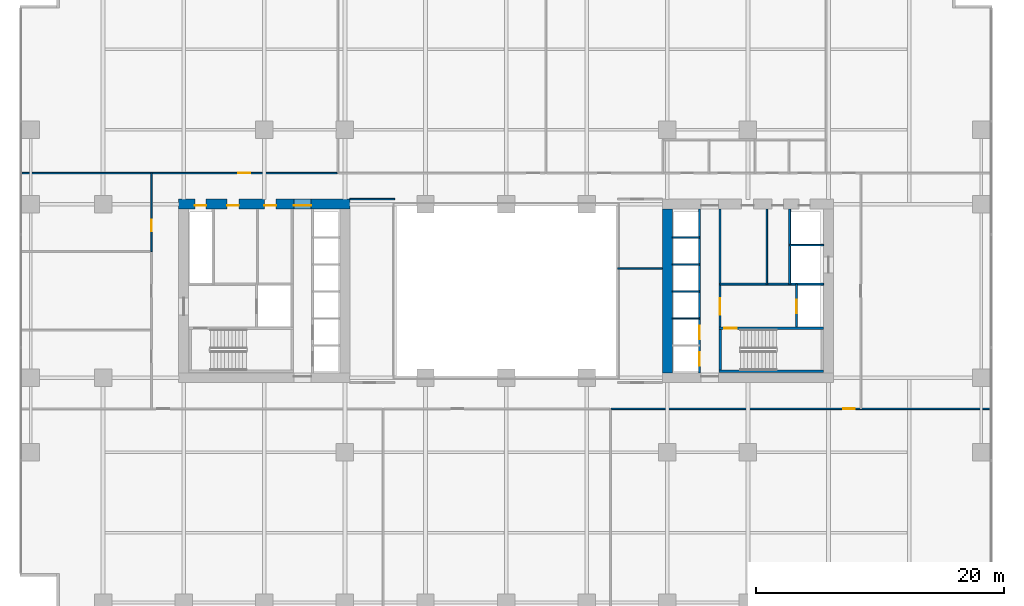
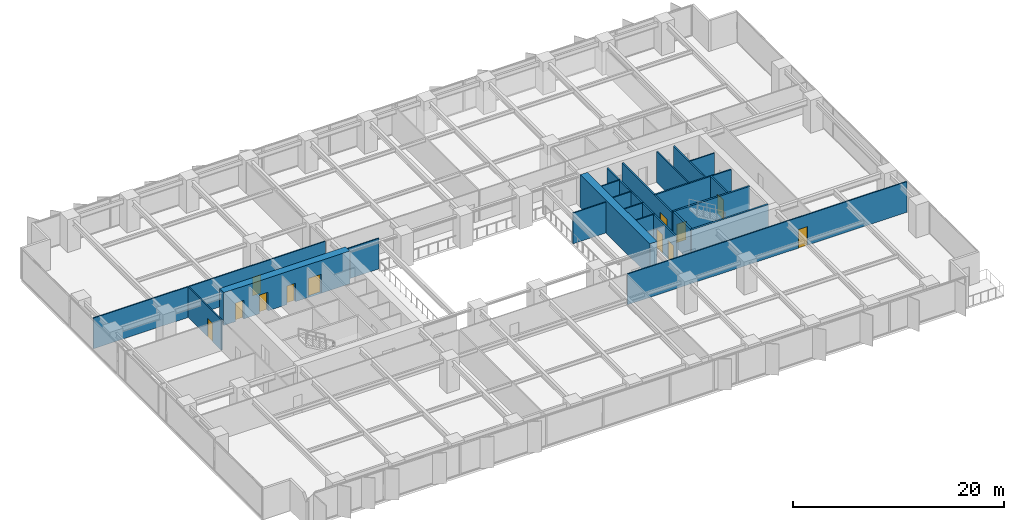
# One storey, part 14 of 20: 21 walls, 12 doors, 12 openings.
"""IFC4 building model written with IfcOpenShell, lengths in metres."""

from ifc_helpers import new_model, si_unit, direction, frame, frame_2d, origin, place, context, subcontext, project, spatial, rectangle, extrude, material, layer, layer_set, type_object, element, fill, save


model = new_model("IFC4")

# Units and contexts
model_context = context("Model", 3, precision=1e-05, world=origin(), true_north=direction((0.0, 1.0)))
body_context = subcontext(model_context, "Body", "Model", "MODEL_VIEW")
ifc_project = project(units=[si_unit("LENGTHUNIT", "METRE"), si_unit("AREAUNIT", "SQUARE_METRE"), si_unit("VOLUMEUNIT", "CUBIC_METRE"), si_unit("PLANEANGLEUNIT", "RADIAN"), si_unit("MASSUNIT", "GRAM", prefix="KILO")], contexts=[model_context])

# Site, building, storey
site_placement = place(None, origin())
site = spatial("IfcSite", under=ifc_project, at=site_placement, CompositionType="ELEMENT")
building_placement = place(site_placement, origin())
building = spatial("IfcBuilding", under=site, at=building_placement, Name="Putna Gate Headquarters", CompositionType="ELEMENT")
storey_placement = place(building_placement, frame((0.0, 0.0, 50.60009765625)))
storey = spatial("IfcBuildingStorey", under=building, at=storey_placement, Name="L11", CompositionType="ELEMENT", Elevation=50.60009765625)

# Wall, openings, doors
ifc_material_1 = material(Name="Concrete C60/75", Category="concrete")
ifc_layer_1 = layer(ifc_material_1, 0.800048828125)
ifc_layer_set_1 = layer_set([ifc_layer_1], Name="Concrete C60/75")
wall_type_1 = type_object("IfcWallType", Name="WALL-CORE-800", PredefinedType="SHEAR", material=ifc_layer_set_1)
wall_1_placement = place(storey_placement, frame((12.60009765625, 33.0, 0.0), z_axis=(0.0, 0.0, 1.0), x_axis=(1.0, 0.0, 0.0)))
wall_1 = element("IfcWall", 1, at=wall_1_placement, inside=storey, type_object=wall_type_1, Name="L11 WC Split Core Shear Wall N", PredefinedType="SHEAR", context=body_context, shape_type="SweptSolid", body=[
    extrude(rectangle(XDim=13.7998046875, YDim=0.800048828125, at=frame_2d((6.89990234375, 0.0))), origin(), (0.0, 0.0, 1.0), 3.7998046875),
])
opening_1_placement = place(wall_1_placement, frame((1.300048828125, 0.0, 0.0)))
opening_1 = element("IfcOpeningElement", 2, at=opening_1_placement, cuts=wall_1, Name="Opening RD-90", PredefinedType="OPENING", context=body_context, shape_type="SweptSolid", body=[
    extrude(rectangle(XDim=0.89990234375, YDim=2.14990234375, at=frame_2d((0.449951171875, 1.074951171875))), frame((0.0, 0.409912109375, 0.0), z_axis=(0.0, -1.0, 0.0), x_axis=(1.0, 0.0, 0.0)), (0.0, 0.0, 1.0), 0.820068359375),
])
opening_2_placement = place(wall_1_placement, frame((3.89990234375, 0.0, 0.0)))
opening_2 = element("IfcOpeningElement", 3, at=opening_2_placement, cuts=wall_1, Name="Opening IDS-95", PredefinedType="OPENING", context=body_context, shape_type="SweptSolid", body=[
    extrude(rectangle(XDim=0.949951171875, YDim=2.14990234375, at=frame_2d((0.47509765625, 1.074951171875))), frame((0.0, 0.409912109375, 0.0), z_axis=(0.0, -1.0, 0.0), x_axis=(1.0, 0.0, 0.0)), (0.0, 0.0, 1.0), 0.820068359375),
])
opening_3_placement = place(wall_1_placement, frame((6.89990234375, 0.0, 0.0)))
opening_3 = element("IfcOpeningElement", 4, at=opening_3_placement, cuts=wall_1, Name="Opening IDS-95", PredefinedType="OPENING", context=body_context, shape_type="SweptSolid", body=[
    extrude(rectangle(XDim=0.949951171875, YDim=2.14990234375, at=frame_2d((0.47509765625, 1.074951171875))), frame((0.0, 0.409912109375, 0.0), z_axis=(0.0, -1.0, 0.0), x_axis=(1.0, 0.0, 0.0)), (0.0, 0.0, 1.0), 0.820068359375),
])
opening_4_placement = place(wall_1_placement, frame((9.280029296875, 0.0, 0.0)))
opening_4 = element("IfcOpeningElement", 5, at=opening_4_placement, cuts=wall_1, Name="Opening FDD-140", PredefinedType="OPENING", context=body_context, shape_type="SweptSolid", body=[
    extrude(rectangle(XDim=1.39990234375, YDim=2.199951171875, at=frame_2d((0.699951171875, 1.10009765625))), frame((0.0, 0.409912109375, 0.0), z_axis=(0.0, -1.0, 0.0), x_axis=(1.0, 0.0, 0.0)), (0.0, 0.0, 1.0), 0.820068359375),
])
ifc_material_2 = material(Name="Double steel fire door", Category="steel")
door_type_1 = type_object("IfcDoorType", Name="DOOR-FIRE-DBL-1400", OperationType="DOUBLE_DOOR_SINGLE_SWING", PredefinedType="DOOR", material=ifc_material_2)
door_1_placement = place(opening_4_placement, origin())
door_1 = element("IfcDoor", 6, at=door_1_placement, inside=storey, type_object=door_type_1, Name="L11 West Lift Lobby North Door", OperationType="DOUBLE_DOOR_SINGLE_SWING", OverallHeight=2.199951171875, OverallWidth=1.39990234375, PredefinedType="DOOR", context=body_context, shape_type="SweptSolid", body=[
    extrude(rectangle(XDim=1.39990234375, YDim=2.199951171875, at=frame_2d((0.699951171875, 1.10009765625))), frame((0.0, -0.0751953125, 0.0), z_axis=(0.0, -1.0, 0.0), x_axis=(1.0, 0.0, 0.0)), (0.0, 0.0, 1.0), 0.050048828125),
])
fill(opening_4, door_1)
ifc_material_3 = material(Name="Fire-rated service timber door", Category="wood")
door_type_2 = type_object("IfcDoorType", Name="DOOR-INT-950", OperationType="NOTDEFINED", PredefinedType="DOOR", material=ifc_material_3)
door_2_placement = place(opening_2_placement, origin())
door_2 = element("IfcDoor", 7, at=door_2_placement, inside=storey, type_object=door_type_2, Name="L11 Cleaner Store Door", OperationType="SINGLE_SWING_LEFT", OverallHeight=2.14990234375, OverallWidth=0.949951171875, PredefinedType="DOOR", context=body_context, shape_type="SweptSolid", body=[
    extrude(rectangle(XDim=0.949951171875, YDim=2.14990234375, at=frame_2d((0.47509765625, 1.074951171875))), frame((0.0, -0.0751953125, 0.0), z_axis=(0.0, -1.0, 0.0), x_axis=(1.0, 0.0, 0.0)), (0.0, 0.0, 1.0), 0.050048828125),
])
fill(opening_2, door_2)
door_3_placement = place(opening_3_placement, origin())
door_3 = element("IfcDoor", 8, at=door_3_placement, inside=storey, type_object=door_type_2, Name="L11 Comms Plant Door", OperationType="SINGLE_SWING_RIGHT", OverallHeight=2.14990234375, OverallWidth=0.949951171875, PredefinedType="DOOR", context=body_context, shape_type="SweptSolid", body=[
    extrude(rectangle(XDim=0.949951171875, YDim=2.14990234375, at=frame_2d((0.47509765625, 1.074951171875))), frame((0.0, -0.0751953125, 0.0), z_axis=(0.0, -1.0, 0.0), x_axis=(1.0, 0.0, 0.0)), (0.0, 0.0, 1.0), 0.050048828125),
])
fill(opening_3, door_3)
ifc_material_4 = material(Name="Steel riser access fire door", Category="steel")
door_type_3 = type_object("IfcDoorType", Name="DOOR-RISER-900", OperationType="NOTDEFINED", PredefinedType="DOOR", material=ifc_material_4)
door_4_placement = place(opening_1_placement, origin())
door_4 = element("IfcDoor", 9, at=door_4_placement, inside=storey, type_object=door_type_3, Name="L11 West Riser Access Door", OperationType="SINGLE_SWING_RIGHT", OverallHeight=2.14990234375, OverallWidth=0.89990234375, PredefinedType="DOOR", context=body_context, shape_type="SweptSolid", body=[
    extrude(rectangle(XDim=0.89990234375, YDim=2.14990234375, at=frame_2d((0.449951171875, 1.074951171875))), frame((0.0, -0.0751953125, 0.0), z_axis=(0.0, -1.0, 0.0), x_axis=(1.0, 0.0, 0.0)), (0.0, 0.0, 1.0), 0.050048828125),
])
fill(opening_1, door_4)

# Walls
wall_2_placement = place(storey_placement, frame((52.0, 19.39990234375, 0.0), z_axis=(0.0, 0.0, 1.0), x_axis=(0.0, 1.0, 0.0)))
element("IfcWall", 10, at=wall_2_placement, inside=storey, type_object=wall_type_1, Name="L11 EC Split Core Shear Wall W", PredefinedType="SHEAR", context=body_context, shape_type="SweptSolid", body=[
    extrude(rectangle(XDim=13.2001953125, YDim=0.800048828125, at=frame_2d((6.60009765625, 0.0))), origin(), (0.0, 0.0, 1.0), 3.7998046875),
])
ifc_material_5 = material(Name="Acoustic gypsum board on metal stud")
ifc_layer_2 = layer(ifc_material_5, 0.1201171875)
ifc_layer_set_2 = layer_set([ifc_layer_2], Name="Acoustic gypsum board on metal stud")
wall_type_2 = type_object("IfcWallType", Name="WALL-PART-120", PredefinedType="PARTITIONING", material=ifc_layer_set_2)
for number, where, z_axis, x_axis, name in (
    (11, (26.39990234375, 33.39990234375, 0.0), (0.0, 0.0, 1.0), (1.0, 0.0, 0.0), "L11 Interior Wall PART-L11-ATR-W-N"),
    (12, (48.0, 27.800048828125, 0.0), (0.0, 0.0, 1.0), (1.0, 0.0, 0.0), "L11 Interior Wall PART-L11-ATR-E-DIV"),
):
    element("IfcWall", number, at=place(storey_placement, frame(where, z_axis=z_axis, x_axis=x_axis)), inside=storey, type_object=wall_type_2, Name=name, PredefinedType="PARTITIONING", context=body_context, shape_type="SweptSolid", body=[
        extrude(rectangle(XDim=3.60009765625, YDim=0.1201171875, at=frame_2d((1.800048828125, 0.0))), origin(), (0.0, 0.0, 1.0), 3.5498046875),
    ])
ifc_material_6 = material(Name="Fire-rated shaftwall gypsum board on metal stud")
ifc_layer_3 = layer(ifc_material_6, 0.1201171875)
ifc_layer_set_3 = layer_set([ifc_layer_3], Name="Fire-rated shaftwall gypsum board on metal stud")
wall_type_3 = type_object("IfcWallType", Name="WALL-PART-120-EI120", PredefinedType="PARTITIONING", material=ifc_layer_set_3)
for number, where, z_axis, x_axis, name in (
    (13, (52.39990234375, 23.780029296875, 0.0), (0.0, 0.0, 1.0), (1.0, 0.0, 0.0), "L11 Interior Wall CWINT-L11-EC-LF04-DIV"),
    (14, (52.39990234375, 25.949951171875, 0.0), (0.0, 0.0, 1.0), (1.0, 0.0, 0.0), "L11 Interior Wall CWINT-L11-EC-LF07-DIV"),
    (15, (52.39990234375, 28.1201171875, 0.0), (0.0, 0.0, 1.0), (1.0, 0.0, 0.0), "L11 Interior Wall CWINT-L11-EC-LF08-DIV"),
    (16, (52.39990234375, 30.31005859375, 0.0), (0.0, 0.0, 1.0), (1.0, 0.0, 0.0), "L11 Interior Wall CWINT-L11-EC-LF11-DIV"),
):
    element("IfcWall", number, at=place(storey_placement, frame(where, z_axis=z_axis, x_axis=x_axis)), inside=storey, type_object=wall_type_3, Name=name, PredefinedType="PARTITIONING", context=body_context, shape_type="SweptSolid", body=[
        extrude(rectangle(XDim=2.2001953125, YDim=0.1201171875, at=frame_2d((1.10009765625, 0.0))), origin(), (0.0, 0.0, 1.0), 3.5498046875),
    ])
wall_3_placement = place(storey_placement, frame((61.8701171875, 29.699951171875, 0.0), z_axis=(0.0, 0.0, 1.0), x_axis=(1.0, 0.0, 0.0)))
element("IfcWall", 17, at=wall_3_placement, inside=storey, type_object=wall_type_3, Name="L11 Interior Wall CWINT-L11-EC-LF15-N", PredefinedType="PARTITIONING", context=body_context, shape_type="SweptSolid", body=[
    extrude(rectangle(XDim=2.72998046875, YDim=0.1201171875, at=frame_2d((1.364990234375, 0.0))), origin(), (0.0, 0.0, 1.0), 3.5498046875),
])
ifc_material_7 = material(Name="Fire-rated gypsum board on metal stud")
ifc_layer_4 = layer(ifc_material_7, 0.1201171875)
ifc_layer_set_4 = layer_set([ifc_layer_4], Name="Fire-rated gypsum board on metal stud")
wall_type_4 = type_object("IfcWallType", Name="WALL-PART-120-RATED", PredefinedType="PARTITIONING", material=ifc_layer_set_4)
wall_4_placement = place(storey_placement, frame((60.02001953125, 26.56005859375, 0.0), z_axis=(0.0, 0.0, 1.0), x_axis=(0.0, 1.0, 0.0)))
element("IfcWall", 18, at=wall_4_placement, inside=storey, type_object=wall_type_4, Name="L11 Interior Wall CWINT-L11-EC-K0-DIV", PredefinedType="PARTITIONING", context=body_context, shape_type="SweptSolid", body=[
    extrude(rectangle(XDim=6.0400390625, YDim=0.1201171875, at=frame_2d((3.02001953125, 0.0))), origin(), (0.0, 0.0, 1.0), 3.5498046875),
])

# Wall, opening, door
wall_5_placement = place(storey_placement, frame((-0.02001953125, 35.5, 0.0), z_axis=(0.0, 0.0, 1.0), x_axis=(1.0, 0.0, 0.0)))
wall_5 = element("IfcWall", 19, at=wall_5_placement, inside=storey, type_object=wall_type_4, Name="L11 Interior Wall PART-L11-NB-CW-01", PredefinedType="PARTITIONING", context=body_context, shape_type="SweptSolid", body=[
    extrude(rectangle(XDim=25.396240234375, YDim=0.1201171875, at=frame_2d((12.6982421875, 0.0))), origin(), (0.0, 0.0, 1.0), 3.5498046875),
])
opening_5_placement = place(wall_5_placement, frame((17.43310546875, 0.0, 0.0)))
opening_5 = element("IfcOpeningElement", 20, at=opening_5_placement, cuts=wall_5, Name="Opening FD-95", PredefinedType="OPENING", context=body_context, shape_type="SweptSolid", body=[
    extrude(rectangle(XDim=0.949951171875, YDim=2.14990234375, at=frame_2d((0.47509765625, 1.074951171875))), frame((0.0, 0.070068359375, 0.0), z_axis=(0.0, -1.0, 0.0), x_axis=(1.0, 0.0, 0.0)), (0.0, 0.0, 1.0), 0.14013671875),
])
ifc_material_8 = material(Name="Acoustic timber fire door", Category="wood")
door_type_4 = type_object("IfcDoorType", Name="DOOR-FIRE-950", OperationType="NOTDEFINED", PredefinedType="DOOR", material=ifc_material_8)
door_5_placement = place(opening_5_placement, origin())
door_5 = element("IfcDoor", 21, at=door_5_placement, inside=storey, type_object=door_type_4, Name="L11 Cellular Office 1 Door", OperationType="SINGLE_SWING_RIGHT", OverallHeight=2.14990234375, OverallWidth=0.949951171875, PredefinedType="DOOR", context=body_context, shape_type="SweptSolid", body=[
    extrude(rectangle(XDim=0.949951171875, YDim=2.14990234375, at=frame_2d((0.47509765625, 1.074951171875))), frame((0.0, 0.02490234375, 0.0), z_axis=(0.0, -1.0, 0.0), x_axis=(1.0, 0.0, 0.0)), (0.0, 0.0, 1.0), 0.050048828125),
])
fill(opening_5, door_5)

wall_6_placement = place(storey_placement, frame((47.46484375, 16.5, 0.0), z_axis=(0.0, 0.0, 1.0), x_axis=(1.0, 0.0, 0.0)))
wall_6 = element("IfcWall", 22, at=wall_6_placement, inside=storey, type_object=wall_type_4, Name="L11 Interior Wall PART-L11-SB-CW-03", PredefinedType="PARTITIONING", context=body_context, shape_type="SweptSolid", body=[
    extrude(rectangle(XDim=30.55517578125, YDim=0.1201171875, at=frame_2d((15.277587890625, 0.0))), origin(), (0.0, 0.0, 1.0), 3.5498046875),
])
opening_6_placement = place(wall_6_placement, frame((18.705078125, 0.0, 0.0)))
opening_6 = element("IfcOpeningElement", 23, at=opening_6_placement, cuts=wall_6, Name="Opening FD-95", PredefinedType="OPENING", context=body_context, shape_type="SweptSolid", body=[
    extrude(rectangle(XDim=0.949951171875, YDim=2.14990234375, at=frame_2d((0.47509765625, 1.074951171875))), frame((0.0, 0.070068359375, 0.0), z_axis=(0.0, -1.0, 0.0), x_axis=(1.0, 0.0, 0.0)), (0.0, 0.0, 1.0), 0.14013671875),
])
door_6_placement = place(opening_6_placement, origin())
door_6 = element("IfcDoor", 24, at=door_6_placement, inside=storey, type_object=door_type_4, Name="L11 Conference Meeting Room 2 Door", OperationType="SINGLE_SWING_RIGHT", OverallHeight=2.14990234375, OverallWidth=0.949951171875, PredefinedType="DOOR", context=body_context, shape_type="SweptSolid", body=[
    extrude(rectangle(XDim=0.949951171875, YDim=2.14990234375, at=frame_2d((0.47509765625, 1.074951171875))), frame((0.0, 0.02490234375, 0.0), z_axis=(0.0, -1.0, 0.0), x_axis=(1.0, 0.0, 0.0)), (0.0, 0.0, 1.0), 0.050048828125),
])
fill(opening_6, door_6)

wall_7_placement = place(storey_placement, frame((10.39990234375, 29.166748046875, 0.0), z_axis=(0.0, 0.0, 1.0), x_axis=(0.0, 1.0, 0.0)))
wall_7 = element("IfcWall", 25, at=wall_7_placement, inside=storey, type_object=wall_type_4, Name="L11 Interior Wall PART-L11-WW-CW-3", PredefinedType="PARTITIONING", context=body_context, shape_type="SweptSolid", body=[
    extrude(rectangle(XDim=6.333251953125, YDim=0.1201171875, at=frame_2d((3.16650390625, 0.0))), origin(), (0.0, 0.0, 1.0), 3.5498046875),
])
opening_7_placement = place(wall_7_placement, frame((1.6416015625, 0.0, 0.0)))
opening_7 = element("IfcOpeningElement", 26, at=opening_7_placement, cuts=wall_7, Name="Opening FD-95", PredefinedType="OPENING", context=body_context, shape_type="SweptSolid", body=[
    extrude(rectangle(XDim=0.949951171875, YDim=2.14990234375, at=frame_2d((0.47509765625, 1.074951171875))), frame((0.0, 0.070068359375, 0.0), z_axis=(0.0, -1.0, 0.0), x_axis=(1.0, 0.0, 0.0)), (0.0, 0.0, 1.0), 0.14013671875),
])
door_7_placement = place(opening_7_placement, origin())
door_7 = element("IfcDoor", 27, at=door_7_placement, inside=storey, type_object=door_type_4, Name="L11 West Project Meeting Room 3 Door", OperationType="SINGLE_SWING_LEFT", OverallHeight=2.14990234375, OverallWidth=0.949951171875, PredefinedType="DOOR", context=body_context, shape_type="SweptSolid", body=[
    extrude(rectangle(XDim=0.949951171875, YDim=2.14990234375, at=frame_2d((0.47509765625, 1.074951171875))), frame((0.0, 0.02490234375, 0.0), z_axis=(0.0, -1.0, 0.0), x_axis=(1.0, 0.0, 0.0)), (0.0, 0.0, 1.0), 0.050048828125),
])
fill(opening_7, door_7)

# Wall, openings, doors
ifc_material_9 = material(Name="Concrete C40/50", Category="concrete")
ifc_layer_5 = layer(ifc_material_9, 0.159912109375)
ifc_layer_set_5 = layer_set([ifc_layer_5], Name="Concrete C40/50")
wall_type_5 = type_object("IfcWallType", Name="WALL-SHAFT-160", PredefinedType="STANDARD", material=ifc_layer_set_5)
wall_8_placement = place(storey_placement, frame((54.60009765625, 19.39990234375, 0.0), z_axis=(0.0, 0.0, 1.0), x_axis=(0.0, 1.0, 0.0)))
wall_8 = element("IfcWall", 28, at=wall_8_placement, inside=storey, type_object=wall_type_5, Name="L11 Interior Wall CWINT-L11-EC-PL-WALL", PredefinedType="STANDARD", context=body_context, shape_type="SweptSolid", body=[
    extrude(rectangle(XDim=13.2001953125, YDim=0.159912109375, at=frame_2d((6.60009765625, 0.0))), origin(), (0.0, 0.0, 1.0), 3.5498046875),
])
opening_8_placement = place(wall_8_placement, frame((0.550048828125, 0.0, 0.0)))
opening_8 = element("IfcOpeningElement", 29, at=opening_8_placement, cuts=wall_8, Name="Opening LD-1", PredefinedType="OPENING", context=body_context, shape_type="SweptSolid", body=[
    extrude(rectangle(XDim=1.10009765625, YDim=2.199951171875, at=frame_2d((0.550048828125, 1.10009765625))), frame((0.0, 0.08984375, 0.0), z_axis=(0.0, -1.0, 0.0), x_axis=(1.0, 0.0, 0.0)), (0.0, 0.0, 1.0), 0.179931640625),
])
opening_9_placement = place(wall_8_placement, frame((2.699951171875, 0.0, 0.0)))
opening_9 = element("IfcOpeningElement", 30, at=opening_9_placement, cuts=wall_8, Name="Opening LD-1", PredefinedType="OPENING", context=body_context, shape_type="SweptSolid", body=[
    extrude(rectangle(XDim=1.10009765625, YDim=2.199951171875, at=frame_2d((0.550048828125, 1.10009765625))), frame((0.0, 0.08984375, 0.0), z_axis=(0.0, -1.0, 0.0), x_axis=(1.0, 0.0, 0.0)), (0.0, 0.0, 1.0), 0.179931640625),
])
ifc_material_10 = material(Name="Brushed bronze stainless lift landing door")
door_type_5 = type_object("IfcDoorType", Name="DOOR-LIFT-1100", OperationType="DOUBLE_DOOR_SLIDING", PredefinedType="DOOR", material=ifc_material_10)
door_8_placement = place(opening_8_placement, origin())
door_8 = element("IfcDoor", 31, at=door_8_placement, inside=storey, type_object=door_type_5, Name="L11 Lift Landing Door LD-03", OperationType="DOUBLE_DOOR_SLIDING", OverallHeight=2.199951171875, OverallWidth=1.10009765625, PredefinedType="DOOR", context=body_context, shape_type="SweptSolid", body=[
    extrude(rectangle(XDim=1.10009765625, YDim=2.199951171875, at=frame_2d((0.550048828125, 1.10009765625))), frame((0.0, 0.02490234375, 0.0), z_axis=(0.0, -1.0, 0.0), x_axis=(1.0, 0.0, 0.0)), (0.0, 0.0, 1.0), 0.050048828125),
])
fill(opening_8, door_8)
door_9_placement = place(opening_9_placement, origin())
door_9 = element("IfcDoor", 32, at=door_9_placement, inside=storey, type_object=door_type_5, Name="L11 Lift Landing Door LD-04", OperationType="DOUBLE_DOOR_SLIDING", OverallHeight=2.199951171875, OverallWidth=1.10009765625, PredefinedType="DOOR", context=body_context, shape_type="SweptSolid", body=[
    extrude(rectangle(XDim=1.10009765625, YDim=2.199951171875, at=frame_2d((0.550048828125, 1.10009765625))), frame((0.0, 0.02490234375, 0.0), z_axis=(0.0, -1.0, 0.0), x_axis=(1.0, 0.0, 0.0)), (0.0, 0.0, 1.0), 0.050048828125),
])
fill(opening_9, door_9)

# Wall, opening, door
wall_9_placement = place(storey_placement, frame((56.260009765625, 23.090087890625, 0.0), z_axis=(0.0, 0.0, 1.0), x_axis=(0.0, 1.0, 0.0)))
wall_9 = element("IfcWall", 33, at=wall_9_placement, inside=storey, type_object=wall_type_5, Name="L11 Interior Wall CWINT-L11-EC-LOB-E", PredefinedType="STANDARD", context=body_context, shape_type="SweptSolid", body=[
    extrude(rectangle(XDim=9.510009765625, YDim=0.159912109375, at=frame_2d((4.7548828125, 0.0))), origin(), (0.0, 0.0, 1.0), 3.5498046875),
])
opening_10_placement = place(wall_9_placement, frame((1.010009765625, 0.0, 0.0)))
opening_10 = element("IfcOpeningElement", 34, at=opening_10_placement, cuts=wall_9, Name="Opening FDD-130", PredefinedType="OPENING", context=body_context, shape_type="SweptSolid", body=[
    extrude(rectangle(XDim=1.300048828125, YDim=2.199951171875, at=frame_2d((0.64990234375, 1.10009765625))), frame((0.0, 0.08984375, 0.0), z_axis=(0.0, -1.0, 0.0), x_axis=(1.0, 0.0, 0.0)), (0.0, 0.0, 1.0), 0.179931640625),
])
ifc_material_11 = material(Name="Double steel lobby fire door", Category="steel")
door_type_6 = type_object("IfcDoorType", Name="DOOR-FIRE-DBL-1300", OperationType="DOUBLE_DOOR_SINGLE_SWING", PredefinedType="DOOR", material=ifc_material_11)
door_10_placement = place(opening_10_placement, origin())
door_10 = element("IfcDoor", 35, at=door_10_placement, inside=storey, type_object=door_type_6, Name="L11 East Firefighting Lobby Door", OperationType="DOUBLE_DOOR_SINGLE_SWING", OverallHeight=2.199951171875, OverallWidth=1.300048828125, PredefinedType="DOOR", context=body_context, shape_type="SweptSolid", body=[
    extrude(rectangle(XDim=1.300048828125, YDim=2.199951171875, at=frame_2d((0.64990234375, 1.10009765625))), frame((0.0, 0.02490234375, 0.0), z_axis=(0.0, -1.0, 0.0), x_axis=(1.0, 0.0, 0.0)), (0.0, 0.0, 1.0), 0.050048828125),
])
fill(opening_10, door_10)

wall_10_placement = place(storey_placement, frame((62.429931640625, 23.090087890625, 0.0), z_axis=(0.0, 0.0, 1.0), x_axis=(0.0, 1.0, 0.0)))
wall_10 = element("IfcWall", 36, at=wall_10_placement, inside=storey, type_object=wall_type_5, Name="L11 Interior Wall CWINT-L11-EC-LF14-W", PredefinedType="STANDARD", context=body_context, shape_type="SweptSolid", body=[
    extrude(rectangle(XDim=3.469970703125, YDim=0.159912109375, at=frame_2d((1.73486328125, 0.0))), origin(), (0.0, 0.0, 1.0), 3.5498046875),
])
opening_11_placement = place(wall_10_placement, frame((1.10009765625, 0.0, 0.0)))
opening_11 = element("IfcOpeningElement", 37, at=opening_11_placement, cuts=wall_10, Name="Opening LD-1", PredefinedType="OPENING", context=body_context, shape_type="SweptSolid", body=[
    extrude(rectangle(XDim=1.10009765625, YDim=2.199951171875, at=frame_2d((0.550048828125, 1.10009765625))), frame((0.0, 0.08984375, 0.0), z_axis=(0.0, -1.0, 0.0), x_axis=(1.0, 0.0, 0.0)), (0.0, 0.0, 1.0), 0.179931640625),
])
door_11_placement = place(opening_11_placement, origin())
door_11 = element("IfcDoor", 38, at=door_11_placement, inside=storey, type_object=door_type_5, Name="L11 Lift Landing Door LD-14", OperationType="DOUBLE_DOOR_SLIDING", OverallHeight=2.199951171875, OverallWidth=1.10009765625, PredefinedType="DOOR", context=body_context, shape_type="SweptSolid", body=[
    extrude(rectangle(XDim=1.10009765625, YDim=2.199951171875, at=frame_2d((0.550048828125, 1.10009765625))), frame((0.0, 0.02490234375, 0.0), z_axis=(0.0, -1.0, 0.0), x_axis=(1.0, 0.0, 0.0)), (0.0, 0.0, 1.0), 0.050048828125),
])
fill(opening_11, door_11)

# Walls
wall_11_placement = place(storey_placement, frame((56.260009765625, 26.56005859375, 0.0), z_axis=(0.0, 0.0, 1.0), x_axis=(1.0, 0.0, 0.0)))
element("IfcWall", 39, at=wall_11_placement, inside=storey, type_object=wall_type_5, Name="L11 Interior Wall CWINT-L11-EC-FFL-N", PredefinedType="STANDARD", context=body_context, shape_type="SweptSolid", body=[
    extrude(rectangle(XDim=8.340087890625, YDim=0.159912109375, at=frame_2d((4.169921875, 0.0))), origin(), (0.0, 0.0, 1.0), 3.5498046875),
])
wall_12_placement = place(storey_placement, frame((61.8701171875, 26.56005859375, 0.0), z_axis=(0.0, 0.0, 1.0), x_axis=(0.0, 1.0, 0.0)))
element("IfcWall", 40, at=wall_12_placement, inside=storey, type_object=wall_type_5, Name="L11 Interior Wall CWINT-L11-EC-LF15-W", PredefinedType="STANDARD", context=body_context, shape_type="SweptSolid", body=[
    extrude(rectangle(XDim=6.0400390625, YDim=0.159912109375, at=frame_2d((3.02001953125, 0.0))), origin(), (0.0, 0.0, 1.0), 3.5498046875),
])
ifc_layer_6 = layer(ifc_material_9, 0.199951171875)
ifc_layer_set_6 = layer_set([ifc_layer_6], Name="Concrete C40/50")
wall_type_6 = type_object("IfcWallType", Name="WALL-SHAFT-RC200", PredefinedType="SHEAR", material=ifc_layer_set_6)
wall_13_placement = place(storey_placement, frame((56.159912109375, 19.510009765625, 0.0), z_axis=(0.0, 0.0, 1.0), x_axis=(1.0, 0.0, 0.0)))
element("IfcWall", 41, at=wall_13_placement, inside=storey, type_object=wall_type_6, Name="L11 Stair ST2 Structural Shaft Wall S", PredefinedType="SHEAR", context=body_context, shape_type="SweptSolid", body=[
    extrude(rectangle(XDim=8.43017578125, YDim=0.199951171875, at=frame_2d((4.215087890625, 0.0))), origin(), (0.0, 0.0, 1.0), 3.7998046875),
])

# Wall, opening, door
wall_14_placement = place(storey_placement, frame((56.159912109375, 22.989990234375, 0.0), z_axis=(0.0, 0.0, 1.0), x_axis=(1.0, 0.0, 0.0)))
wall_14 = element("IfcWall", 42, at=wall_14_placement, inside=storey, type_object=wall_type_6, Name="L11 Stair ST2 Structural Shaft Wall N", PredefinedType="SHEAR", context=body_context, shape_type="SweptSolid", body=[
    extrude(rectangle(XDim=8.43017578125, YDim=0.199951171875, at=frame_2d((4.215087890625, 0.0))), origin(), (0.0, 0.0, 1.0), 3.7998046875),
])
opening_12_placement = place(wall_14_placement, frame((0.449951171875, 0.0, 0.0)))
opening_12 = element("IfcOpeningElement", 43, at=opening_12_placement, cuts=wall_14, Name="Opening FD-100", PredefinedType="OPENING", context=body_context, shape_type="SweptSolid", body=[
    extrude(rectangle(XDim=1.0, YDim=2.14990234375, at=frame_2d((0.5, 1.074951171875))), frame((0.0, 0.10986328125, 0.0), z_axis=(0.0, -1.0, 0.0), x_axis=(1.0, 0.0, 0.0)), (0.0, 0.0, 1.0), 0.219970703125),
])
ifc_material_12 = material(Name="Powder-coated steel fire door", Category="steel")
door_type_7 = type_object("IfcDoorType", Name="DOOR-FIRE-1000", OperationType="NOTDEFINED", PredefinedType="DOOR", material=ifc_material_12)
door_12_placement = place(opening_12_placement, origin())
door_12 = element("IfcDoor", 44, at=door_12_placement, inside=storey, type_object=door_type_7, Name="L11 Stair ST2 Fire Door", OperationType="SINGLE_SWING_RIGHT", OverallHeight=2.14990234375, OverallWidth=1.0, PredefinedType="DOOR", context=body_context, shape_type="SweptSolid", body=[
    extrude(rectangle(XDim=1.0, YDim=2.14990234375, at=frame_2d((0.5, 1.074951171875))), frame((0.0, 0.02490234375, 0.0), z_axis=(0.0, -1.0, 0.0), x_axis=(1.0, 0.0, 0.0)), (0.0, 0.0, 1.0), 0.050048828125),
])
fill(opening_12, door_12)

# Wall
wall_15_placement = place(storey_placement, frame((56.260009765625, 19.610107421875, 0.0), z_axis=(0.0, 0.0, 1.0), x_axis=(0.0, 1.0, 0.0)))
element("IfcWall", 45, at=wall_15_placement, inside=storey, type_object=wall_type_6, Name="L11 Stair ST2 Structural Shaft Wall W", PredefinedType="SHEAR", context=body_context, shape_type="SweptSolid", body=[
    extrude(rectangle(XDim=3.27978515625, YDim=0.199951171875, at=frame_2d((1.639892578125, 0.0))), origin(), (0.0, 0.0, 1.0), 3.7998046875),
])

save(model, "model.ifc")
